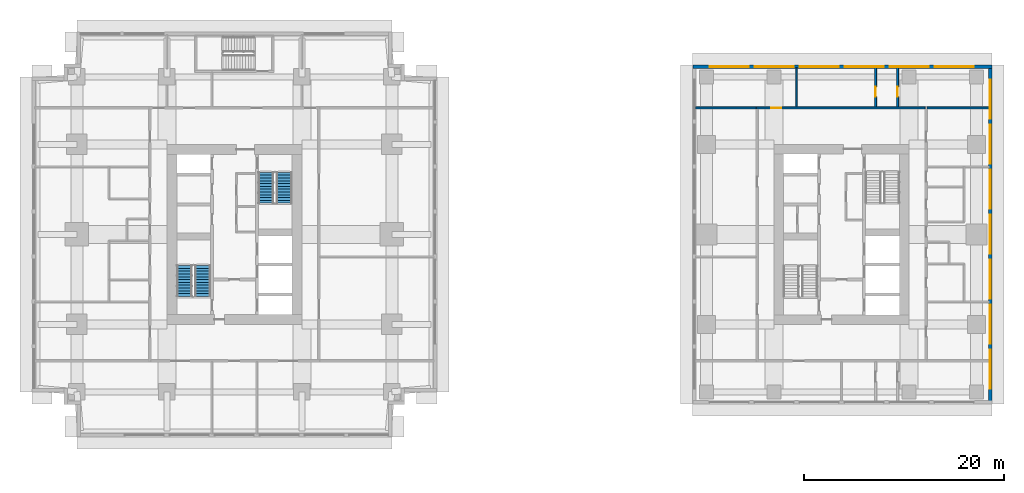
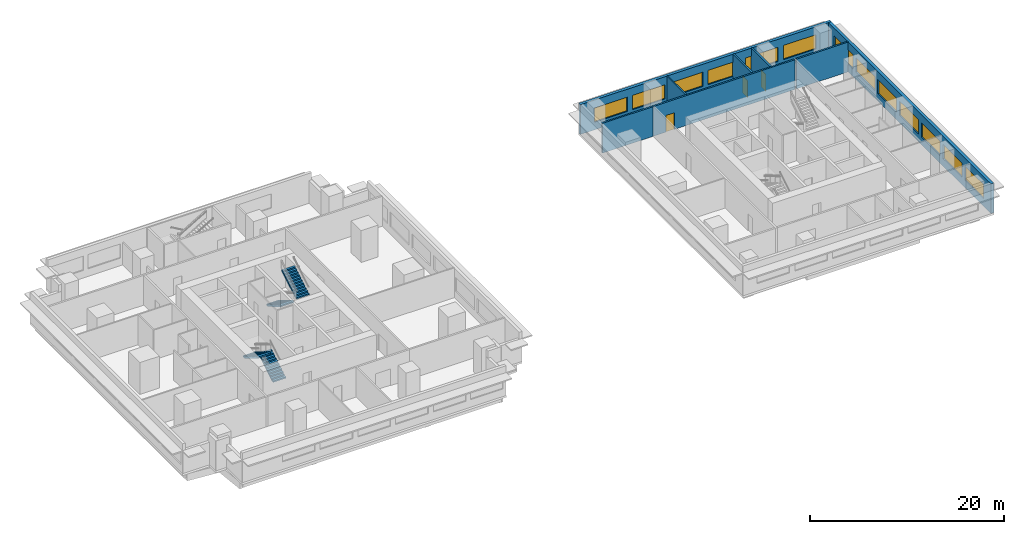
# One storey, part 8 of 11: 13 windows, 8 walls, 4 stair flights, 3 doors, 16 openings, 2 elements without a shape of their own.
"""IFC4 building model written with IfcOpenShell, lengths in metres."""

from ifc_helpers import new_model, si_unit, direction, frame, frame_2d, origin, place, context, subcontext, project, spatial, polyline, rectangle, outline, extrude, material, layer, layer_set, type_object, element, fill, aggregate, save


model = new_model("IFC4")

# Units and contexts
model_context = context("Model", 3, precision=1e-05, world=origin(), true_north=direction((0.0, 1.0)))
body_context = subcontext(model_context, "Body", "Model", "MODEL_VIEW")
ifc_project = project(units=[si_unit("LENGTHUNIT", "METRE"), si_unit("AREAUNIT", "SQUARE_METRE"), si_unit("VOLUMEUNIT", "CUBIC_METRE"), si_unit("PLANEANGLEUNIT", "RADIAN"), si_unit("MASSUNIT", "GRAM", prefix="KILO")], contexts=[model_context])

# Site, building, storey
site_placement = place(None, origin())
site = spatial("IfcSite", under=ifc_project, at=site_placement, CompositionType="ELEMENT")
building_placement = place(site_placement, origin())
building = spatial("IfcBuilding", under=site, at=building_placement, Name="Namib Vertical Campus", CompositionType="ELEMENT")
storey_placement = place(building_placement, frame((0.0, 0.0, 193.0)))
storey = spatial("IfcBuildingStorey", under=building, at=storey_placement, Name="L45", CompositionType="ELEMENT", Elevation=193.0)

# Wall, opening, door
ifc_material_1 = material(Name="Concrete masonry", Category="masonry")
ifc_layer_1 = layer(ifc_material_1, 0.199951171875)
ifc_layer_set_1 = layer_set([ifc_layer_1], Name="Corridor wall 200")
wall_type_1 = type_object("IfcWallType", Name="Corridor wall 200", PredefinedType="SOLIDWALL", material=ifc_layer_set_1)
wall_1_placement = place(storey_placement, frame((89.35009765625, 32.89990234375, 0.0), z_axis=(0.0, 0.0, 1.0), x_axis=(-1.0, 0.0, 0.0)))
wall_1 = element("IfcWall", 1, at=wall_1_placement, inside=storey, type_object=wall_type_1, Name="Corridor wall B L45 CN", PredefinedType="SOLIDWALL", context=body_context, shape_type="SweptSolid", body=[
    extrude(rectangle(XDim=16.900146484375, YDim=0.199951171875, at=frame_2d((8.4501953125, 0.0))), origin(), (0.0, 0.0, 1.0), 3.75),
])
opening_1_placement = place(wall_1_placement, frame((14.375, 0.0, 0.0)))
opening_1 = element("IfcOpeningElement", 2, at=opening_1_placement, cuts=wall_1, Name="Opening CD1", PredefinedType="OPENING", context=body_context, shape_type="SweptSolid", body=[
    extrude(rectangle(XDim=1.0, YDim=2.10009765625, at=frame_2d((0.5, 1.050048828125))), frame((0.0, 0.10986328125, 0.0), z_axis=(0.0, -1.0, 0.0), x_axis=(1.0, 0.0, 0.0)), (0.0, 0.0, 1.0), 0.219970703125),
])
ifc_material_2 = material(Name="Timber fire door leaf", Category="wood")
door_type = type_object("IfcDoorType", Name="Corridor door 1000x2100 20 min", OperationType="SINGLE_SWING_LEFT", PredefinedType="DOOR", material=ifc_material_2)
door_1_placement = place(opening_1_placement, frame((1.0, 0.0, 0.0), z_axis=(0.0, 0.0, 1.0), x_axis=(-1.0, 0.0, 0.0)))
door_1 = element("IfcDoor", 3, at=door_1_placement, inside=storey, type_object=door_type, Name="Door CD1 B45-11", OperationType="SINGLE_SWING_RIGHT", OverallHeight=2.10009765625, OverallWidth=1.0, PredefinedType="DOOR", context=body_context, shape_type="SweptSolid", body=[
    extrude(rectangle(XDim=1.0, YDim=2.10009765625, at=frame_2d((0.5, 1.050048828125))), frame((0.0, 0.02490234375, 0.0), z_axis=(0.0, -1.0, 0.0), x_axis=(1.0, 0.0, 0.0)), (0.0, 0.0, 1.0), 0.050048828125),
])
fill(opening_1, door_1)

wall_2_placement = place(storey_placement, frame((84.39990234375, 33.0, 0.0), z_axis=(0.0, 0.0, 1.0), x_axis=(0.0, 1.0, 0.0)))
wall_2 = element("IfcWall", 4, at=wall_2_placement, inside=storey, type_object=wall_type_1, Name="Corridor wall B L45 SPN1", PredefinedType="SOLIDWALL", context=body_context, shape_type="SweptSolid", body=[
    extrude(rectangle(XDim=3.89990234375, YDim=0.199951171875, at=frame_2d((1.949951171875, 0.0))), origin(), (0.0, 0.0, 1.0), 3.75),
])
opening_2_placement = place(wall_2_placement, frame((1.0, 0.0, 0.0)))
opening_2 = element("IfcOpeningElement", 5, at=opening_2_placement, cuts=wall_2, Name="Opening CD1", PredefinedType="OPENING", context=body_context, shape_type="SweptSolid", body=[
    extrude(rectangle(XDim=1.0, YDim=2.10009765625, at=frame_2d((0.5, 1.050048828125))), frame((0.0, 0.10986328125, 0.0), z_axis=(0.0, -1.0, 0.0), x_axis=(1.0, 0.0, 0.0)), (0.0, 0.0, 1.0), 0.219970703125),
])
door_2_placement = place(opening_2_placement, origin())
door_2 = element("IfcDoor", 6, at=door_2_placement, inside=storey, type_object=door_type, Name="Door CD1 B45-12", OperationType="SINGLE_SWING_LEFT", OverallHeight=2.10009765625, OverallWidth=1.0, PredefinedType="DOOR", context=body_context, shape_type="SweptSolid", body=[
    extrude(rectangle(XDim=1.0, YDim=2.10009765625, at=frame_2d((0.5, 1.050048828125))), frame((0.0, 0.02490234375, 0.0), z_axis=(0.0, -1.0, 0.0), x_axis=(1.0, 0.0, 0.0)), (0.0, 0.0, 1.0), 0.050048828125),
])
fill(opening_2, door_2)

wall_3_placement = place(storey_placement, frame((86.60009765625, 36.89990234375, 0.0), z_axis=(0.0, 0.0, 1.0), x_axis=(0.0, -1.0, 0.0)))
wall_3 = element("IfcWall", 7, at=wall_3_placement, inside=storey, type_object=wall_type_1, Name="Corridor wall B L45 SPN2", PredefinedType="SOLIDWALL", context=body_context, shape_type="SweptSolid", body=[
    extrude(rectangle(XDim=3.89990234375, YDim=0.199951171875, at=frame_2d((1.949951171875, 0.0))), origin(), (0.0, 0.0, 1.0), 3.75),
])
opening_3_placement = place(wall_3_placement, frame((1.89990234375, 0.0, 0.0)))
opening_3 = element("IfcOpeningElement", 8, at=opening_3_placement, cuts=wall_3, Name="Opening CD1", PredefinedType="OPENING", context=body_context, shape_type="SweptSolid", body=[
    extrude(rectangle(XDim=1.0, YDim=2.10009765625, at=frame_2d((0.5, 1.050048828125))), frame((0.0, 0.10986328125, 0.0), z_axis=(0.0, -1.0, 0.0), x_axis=(1.0, 0.0, 0.0)), (0.0, 0.0, 1.0), 0.219970703125),
])
door_3_placement = place(opening_3_placement, origin())
door_3 = element("IfcDoor", 9, at=door_3_placement, inside=storey, type_object=door_type, Name="Door CD1 B45-13", OperationType="SINGLE_SWING_RIGHT", OverallHeight=2.10009765625, OverallWidth=1.0, PredefinedType="DOOR", context=body_context, shape_type="SweptSolid", body=[
    extrude(rectangle(XDim=1.0, YDim=2.10009765625, at=frame_2d((0.5, 1.050048828125))), frame((0.0, 0.02490234375, 0.0), z_axis=(0.0, -1.0, 0.0), x_axis=(1.0, 0.0, 0.0)), (0.0, 0.0, 1.0), 0.050048828125),
])
fill(opening_3, door_3)

# Walls
wall_4_placement = place(storey_placement, frame((66.39990234375, 32.89990234375, 0.0), z_axis=(0.0, 0.0, 1.0), x_axis=(1.0, 0.0, 0.0)))
element("IfcWall", 10, at=wall_4_placement, inside=storey, type_object=wall_type_1, Name="Partition B L45 BNW", PredefinedType="SOLIDWALL", context=body_context, shape_type="SweptSolid", body=[
    extrude(rectangle(XDim=6.050048828125, YDim=0.199951171875, at=frame_2d((3.02490234375, 0.0))), origin(), (0.0, 0.0, 1.0), 3.75),
])
wall_5_placement = place(storey_placement, frame((89.550048828125, 32.89990234375, 0.0), z_axis=(0.0, 0.0, 1.0), x_axis=(1.0, 0.0, 0.0)))
element("IfcWall", 11, at=wall_5_placement, inside=storey, type_object=wall_type_1, Name="Partition B L45 BNE", PredefinedType="SOLIDWALL", context=body_context, shape_type="SweptSolid", body=[
    extrude(rectangle(XDim=6.199951171875, YDim=0.199951171875, at=frame_2d((3.10009765625, 0.0))), origin(), (0.0, 0.0, 1.0), 3.75),
])

# Wall, openings, windows
ifc_material_3 = material(Name="Concrete C40/50", Category="concrete")
ifc_layer_2 = layer(ifc_material_3, 0.35009765625)
ifc_layer_set_2 = layer_set([ifc_layer_2], Name="Concrete C40/50")
wall_type_2 = type_object("IfcWallType", Name="External wall 350 bush-hammered concrete", PredefinedType="STANDARD", material=ifc_layer_set_2)
wall_6_placement = place(storey_placement, frame((95.875, 3.320068359375, 0.0), z_axis=(0.0, 0.0, 1.0), x_axis=(0.0, 1.0, 0.0)))
wall_6 = element("IfcWall", 12, at=wall_6_placement, inside=storey, type_object=wall_type_2, Name="External wall L45 F02", PredefinedType="STANDARD", context=body_context, shape_type="SweptSolid", body=[
    extrude(rectangle(XDim=33.85986328125, YDim=0.35009765625, at=frame_2d((16.929931640625, 0.0))), origin(), (0.0, 0.0, 1.0), 3.75),
])
opening_4_placement = place(wall_6_placement, frame((1.47998046875, 0.0, 0.949951171875)))
opening_4 = element("IfcOpeningElement", 13, at=opening_4_placement, cuts=wall_6, Name="Opening W3", PredefinedType="OPENING", context=body_context, shape_type="SweptSolid", body=[
    extrude(rectangle(XDim=3.89990234375, YDim=1.800048828125, at=frame_2d((1.949951171875, 0.89990234375))), frame((0.0, 0.18505859375, 0.0), z_axis=(0.0, -1.0, 0.0), x_axis=(1.0, 0.0, 0.0)), (0.0, 0.0, 1.0), 0.3701171875),
])
opening_5_placement = place(wall_6_placement, frame((5.97998046875, 0.0, 0.949951171875)))
opening_5 = element("IfcOpeningElement", 14, at=opening_5_placement, cuts=wall_6, Name="Opening W3", PredefinedType="OPENING", context=body_context, shape_type="SweptSolid", body=[
    extrude(rectangle(XDim=3.89990234375, YDim=1.800048828125, at=frame_2d((1.949951171875, 0.89990234375))), frame((0.0, 0.18505859375, 0.0), z_axis=(0.0, -1.0, 0.0), x_axis=(1.0, 0.0, 0.0)), (0.0, 0.0, 1.0), 0.3701171875),
])
opening_6_placement = place(wall_6_placement, frame((10.47998046875, 0.0, 0.949951171875)))
opening_6 = element("IfcOpeningElement", 15, at=opening_6_placement, cuts=wall_6, Name="Opening W3", PredefinedType="OPENING", context=body_context, shape_type="SweptSolid", body=[
    extrude(rectangle(XDim=3.89990234375, YDim=1.800048828125, at=frame_2d((1.949951171875, 0.89990234375))), frame((0.0, 0.18505859375, 0.0), z_axis=(0.0, -1.0, 0.0), x_axis=(1.0, 0.0, 0.0)), (0.0, 0.0, 1.0), 0.3701171875),
])
opening_7_placement = place(wall_6_placement, frame((14.97998046875, 0.0, 0.949951171875)))
opening_7 = element("IfcOpeningElement", 16, at=opening_7_placement, cuts=wall_6, Name="Opening W3", PredefinedType="OPENING", context=body_context, shape_type="SweptSolid", body=[
    extrude(rectangle(XDim=3.89990234375, YDim=1.800048828125, at=frame_2d((1.949951171875, 0.89990234375))), frame((0.0, 0.18505859375, 0.0), z_axis=(0.0, -1.0, 0.0), x_axis=(1.0, 0.0, 0.0)), (0.0, 0.0, 1.0), 0.3701171875),
])
opening_8_placement = place(wall_6_placement, frame((19.47998046875, 0.0, 0.949951171875)))
opening_8 = element("IfcOpeningElement", 17, at=opening_8_placement, cuts=wall_6, Name="Opening W3", PredefinedType="OPENING", context=body_context, shape_type="SweptSolid", body=[
    extrude(rectangle(XDim=3.89990234375, YDim=1.800048828125, at=frame_2d((1.949951171875, 0.89990234375))), frame((0.0, 0.18505859375, 0.0), z_axis=(0.0, -1.0, 0.0), x_axis=(1.0, 0.0, 0.0)), (0.0, 0.0, 1.0), 0.3701171875),
])
opening_9_placement = place(wall_6_placement, frame((23.97998046875, 0.0, 0.949951171875)))
opening_9 = element("IfcOpeningElement", 18, at=opening_9_placement, cuts=wall_6, Name="Opening W3", PredefinedType="OPENING", context=body_context, shape_type="SweptSolid", body=[
    extrude(rectangle(XDim=3.89990234375, YDim=1.800048828125, at=frame_2d((1.949951171875, 0.89990234375))), frame((0.0, 0.18505859375, 0.0), z_axis=(0.0, -1.0, 0.0), x_axis=(1.0, 0.0, 0.0)), (0.0, 0.0, 1.0), 0.3701171875),
])
opening_10_placement = place(wall_6_placement, frame((28.47998046875, 0.0, 0.949951171875)))
opening_10 = element("IfcOpeningElement", 19, at=opening_10_placement, cuts=wall_6, Name="Opening W3", PredefinedType="OPENING", context=body_context, shape_type="SweptSolid", body=[
    extrude(rectangle(XDim=3.89990234375, YDim=1.800048828125, at=frame_2d((1.949951171875, 0.89990234375))), frame((0.0, 0.18505859375, 0.0), z_axis=(0.0, -1.0, 0.0), x_axis=(1.0, 0.0, 0.0)), (0.0, 0.0, 1.0), 0.3701171875),
])
ifc_material_4 = material(Name="Dark tinted glass in black aluminium frame", Category="aluminium")
window_type = type_object("IfcWindowType", Name="Ribbon window 3900x1800", PartitioningType="SINGLE_PANEL", PredefinedType="WINDOW", material=ifc_material_4)
window_1_placement = place(opening_4_placement, origin())
window_1 = element("IfcWindow", 20, at=window_1_placement, inside=storey, type_object=window_type, Name="Window W3 L45 F02-1", OverallHeight=1.800048828125, OverallWidth=3.89990234375, PartitioningType="SINGLE_PANEL", PredefinedType="WINDOW", context=body_context, shape_type="SweptSolid", body=[
    extrude(rectangle(XDim=3.89990234375, YDim=1.800048828125, at=frame_2d((1.949951171875, 0.89990234375))), frame((0.0, 0.030029296875, 0.0), z_axis=(0.0, -1.0, 0.0), x_axis=(1.0, 0.0, 0.0)), (0.0, 0.0, 1.0), 0.06005859375),
])
fill(opening_4, window_1)
window_2_placement = place(opening_5_placement, origin())
window_2 = element("IfcWindow", 21, at=window_2_placement, inside=storey, type_object=window_type, Name="Window W3 L45 F02-2", OverallHeight=1.800048828125, OverallWidth=3.89990234375, PartitioningType="SINGLE_PANEL", PredefinedType="WINDOW", context=body_context, shape_type="SweptSolid", body=[
    extrude(rectangle(XDim=3.89990234375, YDim=1.800048828125, at=frame_2d((1.949951171875, 0.89990234375))), frame((0.0, 0.030029296875, 0.0), z_axis=(0.0, -1.0, 0.0), x_axis=(1.0, 0.0, 0.0)), (0.0, 0.0, 1.0), 0.06005859375),
])
fill(opening_5, window_2)
window_3_placement = place(opening_6_placement, origin())
window_3 = element("IfcWindow", 22, at=window_3_placement, inside=storey, type_object=window_type, Name="Window W3 L45 F02-3", OverallHeight=1.800048828125, OverallWidth=3.89990234375, PartitioningType="SINGLE_PANEL", PredefinedType="WINDOW", context=body_context, shape_type="SweptSolid", body=[
    extrude(rectangle(XDim=3.89990234375, YDim=1.800048828125, at=frame_2d((1.949951171875, 0.89990234375))), frame((0.0, 0.030029296875, 0.0), z_axis=(0.0, -1.0, 0.0), x_axis=(1.0, 0.0, 0.0)), (0.0, 0.0, 1.0), 0.06005859375),
])
fill(opening_6, window_3)
window_4_placement = place(opening_7_placement, origin())
window_4 = element("IfcWindow", 23, at=window_4_placement, inside=storey, type_object=window_type, Name="Window W3 L45 F02-4", OverallHeight=1.800048828125, OverallWidth=3.89990234375, PartitioningType="SINGLE_PANEL", PredefinedType="WINDOW", context=body_context, shape_type="SweptSolid", body=[
    extrude(rectangle(XDim=3.89990234375, YDim=1.800048828125, at=frame_2d((1.949951171875, 0.89990234375))), frame((0.0, 0.030029296875, 0.0), z_axis=(0.0, -1.0, 0.0), x_axis=(1.0, 0.0, 0.0)), (0.0, 0.0, 1.0), 0.06005859375),
])
fill(opening_7, window_4)
window_5_placement = place(opening_8_placement, origin())
window_5 = element("IfcWindow", 24, at=window_5_placement, inside=storey, type_object=window_type, Name="Window W3 L45 F02-5", OverallHeight=1.800048828125, OverallWidth=3.89990234375, PartitioningType="SINGLE_PANEL", PredefinedType="WINDOW", context=body_context, shape_type="SweptSolid", body=[
    extrude(rectangle(XDim=3.89990234375, YDim=1.800048828125, at=frame_2d((1.949951171875, 0.89990234375))), frame((0.0, 0.030029296875, 0.0), z_axis=(0.0, -1.0, 0.0), x_axis=(1.0, 0.0, 0.0)), (0.0, 0.0, 1.0), 0.06005859375),
])
fill(opening_8, window_5)
window_6_placement = place(opening_9_placement, origin())
window_6 = element("IfcWindow", 25, at=window_6_placement, inside=storey, type_object=window_type, Name="Window W3 L45 F02-6", OverallHeight=1.800048828125, OverallWidth=3.89990234375, PartitioningType="SINGLE_PANEL", PredefinedType="WINDOW", context=body_context, shape_type="SweptSolid", body=[
    extrude(rectangle(XDim=3.89990234375, YDim=1.800048828125, at=frame_2d((1.949951171875, 0.89990234375))), frame((0.0, 0.030029296875, 0.0), z_axis=(0.0, -1.0, 0.0), x_axis=(1.0, 0.0, 0.0)), (0.0, 0.0, 1.0), 0.06005859375),
])
fill(opening_9, window_6)
window_7_placement = place(opening_10_placement, origin())
window_7 = element("IfcWindow", 26, at=window_7_placement, inside=storey, type_object=window_type, Name="Window W3 L45 F02-7", OverallHeight=1.800048828125, OverallWidth=3.89990234375, PartitioningType="SINGLE_PANEL", PredefinedType="WINDOW", context=body_context, shape_type="SweptSolid", body=[
    extrude(rectangle(XDim=3.89990234375, YDim=1.800048828125, at=frame_2d((1.949951171875, 0.89990234375))), frame((0.0, 0.030029296875, 0.0), z_axis=(0.0, -1.0, 0.0), x_axis=(1.0, 0.0, 0.0)), (0.0, 0.0, 1.0), 0.06005859375),
])
fill(opening_10, window_7)

wall_7_placement = place(storey_placement, frame((96.030029296875, 37.02490234375, 0.0), z_axis=(0.0, 0.0, 1.0), x_axis=(-1.0, 0.0, 0.0)))
wall_7 = element("IfcWall", 27, at=wall_7_placement, inside=storey, type_object=wall_type_2, Name="External wall L45 F03", PredefinedType="STANDARD", context=body_context, shape_type="SweptSolid", body=[
    extrude(rectangle(XDim=29.909912109375, YDim=0.35009765625, at=frame_2d((14.955078125, 0.0))), origin(), (0.0, 0.0, 1.0), 3.75),
])
opening_11_placement = place(wall_7_placement, frame((24.330078125, 0.0, 0.949951171875)))
opening_11 = element("IfcOpeningElement", 28, at=opening_11_placement, cuts=wall_7, Name="Opening W3", PredefinedType="OPENING", context=body_context, shape_type="SweptSolid", body=[
    extrude(rectangle(XDim=3.89990234375, YDim=1.800048828125, at=frame_2d((1.949951171875, 0.89990234375))), frame((0.0, 0.18505859375, 0.0), z_axis=(0.0, -1.0, 0.0), x_axis=(1.0, 0.0, 0.0)), (0.0, 0.0, 1.0), 0.3701171875),
])
opening_12_placement = place(wall_7_placement, frame((19.830078125, 0.0, 0.949951171875)))
opening_12 = element("IfcOpeningElement", 29, at=opening_12_placement, cuts=wall_7, Name="Opening W3", PredefinedType="OPENING", context=body_context, shape_type="SweptSolid", body=[
    extrude(rectangle(XDim=3.89990234375, YDim=1.800048828125, at=frame_2d((1.949951171875, 0.89990234375))), frame((0.0, 0.18505859375, 0.0), z_axis=(0.0, -1.0, 0.0), x_axis=(1.0, 0.0, 0.0)), (0.0, 0.0, 1.0), 0.3701171875),
])
opening_13_placement = place(wall_7_placement, frame((15.330078125, 0.0, 0.949951171875)))
opening_13 = element("IfcOpeningElement", 30, at=opening_13_placement, cuts=wall_7, Name="Opening W3", PredefinedType="OPENING", context=body_context, shape_type="SweptSolid", body=[
    extrude(rectangle(XDim=3.89990234375, YDim=1.800048828125, at=frame_2d((1.949951171875, 0.89990234375))), frame((0.0, 0.18505859375, 0.0), z_axis=(0.0, -1.0, 0.0), x_axis=(1.0, 0.0, 0.0)), (0.0, 0.0, 1.0), 0.3701171875),
])
opening_14_placement = place(wall_7_placement, frame((10.830078125, 0.0, 0.949951171875)))
opening_14 = element("IfcOpeningElement", 31, at=opening_14_placement, cuts=wall_7, Name="Opening W3", PredefinedType="OPENING", context=body_context, shape_type="SweptSolid", body=[
    extrude(rectangle(XDim=3.89990234375, YDim=1.800048828125, at=frame_2d((1.949951171875, 0.89990234375))), frame((0.0, 0.18505859375, 0.0), z_axis=(0.0, -1.0, 0.0), x_axis=(1.0, 0.0, 0.0)), (0.0, 0.0, 1.0), 0.3701171875),
])
opening_15_placement = place(wall_7_placement, frame((6.330078125, 0.0, 0.949951171875)))
opening_15 = element("IfcOpeningElement", 32, at=opening_15_placement, cuts=wall_7, Name="Opening W3", PredefinedType="OPENING", context=body_context, shape_type="SweptSolid", body=[
    extrude(rectangle(XDim=3.89990234375, YDim=1.800048828125, at=frame_2d((1.949951171875, 0.89990234375))), frame((0.0, 0.18505859375, 0.0), z_axis=(0.0, -1.0, 0.0), x_axis=(1.0, 0.0, 0.0)), (0.0, 0.0, 1.0), 0.3701171875),
])
opening_16_placement = place(wall_7_placement, frame((1.830078125, 0.0, 0.949951171875)))
opening_16 = element("IfcOpeningElement", 33, at=opening_16_placement, cuts=wall_7, Name="Opening W3", PredefinedType="OPENING", context=body_context, shape_type="SweptSolid", body=[
    extrude(rectangle(XDim=3.89990234375, YDim=1.800048828125, at=frame_2d((1.949951171875, 0.89990234375))), frame((0.0, 0.18505859375, 0.0), z_axis=(0.0, -1.0, 0.0), x_axis=(1.0, 0.0, 0.0)), (0.0, 0.0, 1.0), 0.3701171875),
])
window_8_placement = place(opening_11_placement, origin())
window_8 = element("IfcWindow", 34, at=window_8_placement, inside=storey, type_object=window_type, Name="Window W3 L45 F03-1", OverallHeight=1.800048828125, OverallWidth=3.89990234375, PartitioningType="SINGLE_PANEL", PredefinedType="WINDOW", context=body_context, shape_type="SweptSolid", body=[
    extrude(rectangle(XDim=3.89990234375, YDim=1.800048828125, at=frame_2d((1.949951171875, 0.89990234375))), frame((0.0, 0.030029296875, 0.0), z_axis=(0.0, -1.0, 0.0), x_axis=(1.0, 0.0, 0.0)), (0.0, 0.0, 1.0), 0.06005859375),
])
fill(opening_11, window_8)
window_9_placement = place(opening_12_placement, origin())
window_9 = element("IfcWindow", 35, at=window_9_placement, inside=storey, type_object=window_type, Name="Window W3 L45 F03-2", OverallHeight=1.800048828125, OverallWidth=3.89990234375, PartitioningType="SINGLE_PANEL", PredefinedType="WINDOW", context=body_context, shape_type="SweptSolid", body=[
    extrude(rectangle(XDim=3.89990234375, YDim=1.800048828125, at=frame_2d((1.949951171875, 0.89990234375))), frame((0.0, 0.030029296875, 0.0), z_axis=(0.0, -1.0, 0.0), x_axis=(1.0, 0.0, 0.0)), (0.0, 0.0, 1.0), 0.06005859375),
])
fill(opening_12, window_9)
window_10_placement = place(opening_13_placement, origin())
window_10 = element("IfcWindow", 36, at=window_10_placement, inside=storey, type_object=window_type, Name="Window W3 L45 F03-3", OverallHeight=1.800048828125, OverallWidth=3.89990234375, PartitioningType="SINGLE_PANEL", PredefinedType="WINDOW", context=body_context, shape_type="SweptSolid", body=[
    extrude(rectangle(XDim=3.89990234375, YDim=1.800048828125, at=frame_2d((1.949951171875, 0.89990234375))), frame((0.0, 0.030029296875, 0.0), z_axis=(0.0, -1.0, 0.0), x_axis=(1.0, 0.0, 0.0)), (0.0, 0.0, 1.0), 0.06005859375),
])
fill(opening_13, window_10)
window_11_placement = place(opening_14_placement, origin())
window_11 = element("IfcWindow", 37, at=window_11_placement, inside=storey, type_object=window_type, Name="Window W3 L45 F03-4", OverallHeight=1.800048828125, OverallWidth=3.89990234375, PartitioningType="SINGLE_PANEL", PredefinedType="WINDOW", context=body_context, shape_type="SweptSolid", body=[
    extrude(rectangle(XDim=3.89990234375, YDim=1.800048828125, at=frame_2d((1.949951171875, 0.89990234375))), frame((0.0, 0.030029296875, 0.0), z_axis=(0.0, -1.0, 0.0), x_axis=(1.0, 0.0, 0.0)), (0.0, 0.0, 1.0), 0.06005859375),
])
fill(opening_14, window_11)
window_12_placement = place(opening_15_placement, origin())
window_12 = element("IfcWindow", 38, at=window_12_placement, inside=storey, type_object=window_type, Name="Window W3 L45 F03-5", OverallHeight=1.800048828125, OverallWidth=3.89990234375, PartitioningType="SINGLE_PANEL", PredefinedType="WINDOW", context=body_context, shape_type="SweptSolid", body=[
    extrude(rectangle(XDim=3.89990234375, YDim=1.800048828125, at=frame_2d((1.949951171875, 0.89990234375))), frame((0.0, 0.030029296875, 0.0), z_axis=(0.0, -1.0, 0.0), x_axis=(1.0, 0.0, 0.0)), (0.0, 0.0, 1.0), 0.06005859375),
])
fill(opening_15, window_12)
window_13_placement = place(opening_16_placement, origin())
window_13 = element("IfcWindow", 39, at=window_13_placement, inside=storey, type_object=window_type, Name="Window W3 L45 F03-6", OverallHeight=1.800048828125, OverallWidth=3.89990234375, PartitioningType="SINGLE_PANEL", PredefinedType="WINDOW", context=body_context, shape_type="SweptSolid", body=[
    extrude(rectangle(XDim=3.89990234375, YDim=1.800048828125, at=frame_2d((1.949951171875, 0.89990234375))), frame((0.0, 0.030029296875, 0.0), z_axis=(0.0, -1.0, 0.0), x_axis=(1.0, 0.0, 0.0)), (0.0, 0.0, 1.0), 0.06005859375),
])
fill(opening_16, window_13)

# Wall
ifc_material_5 = material(Name="Gypsum board on steel studs", Category="steel")
ifc_layer_3 = layer(ifc_material_5, 0.14990234375)
ifc_layer_set_3 = layer_set([ifc_layer_3], Name="Gypsum board on steel studs")
wall_type_3 = type_object("IfcWallType", Name="Partition 150", PredefinedType="PARTITIONING", material=ifc_layer_set_3)
wall_8_placement = place(storey_placement, frame((76.5, 33.0, 0.0), z_axis=(0.0, 0.0, 1.0), x_axis=(0.0, 1.0, 0.0)))
element("IfcWall", 40, at=wall_8_placement, inside=storey, type_object=wall_type_3, Name="Partition B L45 PN1", PredefinedType="PARTITIONING", context=body_context, shape_type="SweptSolid", body=[
    extrude(rectangle(XDim=3.89990234375, YDim=0.14990234375, at=frame_2d((1.949951171875, 0.0))), origin(), (0.0, 0.0, 1.0), 3.75),
])

# Stair, stair flights
ifc_material_6 = material(Name="Concrete C40/50 precast", Category="concrete")
stair_type = type_object("IfcStairType", Name="Exit stair 4000 rise 24 risers 3350 wide", PredefinedType="HALF_TURN_STAIR", material=ifc_material_6)
stair_1_placement = place(storey_placement, origin())
stair_1 = element("IfcStair", 41, at=stair_1_placement, inside=storey, type_object=stair_type, Name="Exit stair A-S1 L45", PredefinedType="HALF_TURN_STAIR")
ifc_material_7 = material(Name="Concrete C40/50 precast", Category="concrete")
stair_flight_type = type_object("IfcStairFlightType", Name="Stair flight 12 risers 167 1525 wide", PredefinedType="STRAIGHT", material=ifc_material_7)
stair_flight_1_placement = place(storey_placement, frame((17.08740234375, 14.050048828125, 0.0), z_axis=(0.0, 0.0, 1.0), x_axis=(0.0, 1.0, 0.0)))
stair_flight_1 = element("IfcStairFlight", 42, at=stair_flight_1_placement, type_object=stair_flight_type, Name="A-S1 flight 1", NumberOfRisers=12, NumberOfTreads=11, PredefinedType="STRAIGHT", RiserHeight=0.166666667, TreadLength=0.28, context=body_context, shape_type="SweptSolid", body=[
    extrude(outline(polyline([(0.0, 0.0), (0.0, 0.166748046875), (0.280029296875, 0.166748046875), (0.280029296875, 0.333251953125), (0.56005859375, 0.333251953125), (0.56005859375, 0.5), (0.840087890625, 0.5), (0.840087890625, 0.666748046875), (1.1201171875, 0.666748046875), (1.1201171875, 0.833251953125), (1.39990234375, 0.833251953125), (1.39990234375, 1.0), (1.679931640625, 1.0), (1.679931640625, 1.166748046875), (1.9599609375, 1.166748046875), (1.9599609375, 1.333251953125), (2.239990234375, 1.333251953125), (2.239990234375, 1.5), (2.52001953125, 1.5), (2.52001953125, 1.666748046875), (2.800048828125, 1.666748046875), (2.800048828125, 1.833251953125), (3.080078125, 1.833251953125), (3.080078125, 2.0), (3.080078125, 1.658935546875), (0.29296875, 0.0), (0.0, 0.0)])), frame((0.0, 0.762451171875, 0.0), z_axis=(0.0, -1.0, 0.0), x_axis=(1.0, 0.0, 0.0)), (0.0, 0.0, 1.0), 1.52490234375),
])
stair_flight_2_placement = place(storey_placement, frame((15.262451171875, 17.1298828125, 2.0), z_axis=(0.0, 0.0, 1.0), x_axis=(0.0, -1.0, 0.0)))
stair_flight_2 = element("IfcStairFlight", 43, at=stair_flight_2_placement, type_object=stair_flight_type, Name="A-S1 flight 2", NumberOfRisers=12, NumberOfTreads=11, PredefinedType="STRAIGHT", RiserHeight=0.166666667, TreadLength=0.28, context=body_context, shape_type="SweptSolid", body=[
    extrude(outline(polyline([(0.0, 0.0), (0.0, 0.166748046875), (0.280029296875, 0.166748046875), (0.280029296875, 0.333251953125), (0.56005859375, 0.333251953125), (0.56005859375, 0.5), (0.840087890625, 0.5), (0.840087890625, 0.666748046875), (1.1201171875, 0.666748046875), (1.1201171875, 0.833251953125), (1.39990234375, 0.833251953125), (1.39990234375, 1.0), (1.679931640625, 1.0), (1.679931640625, 1.166748046875), (1.9599609375, 1.166748046875), (1.9599609375, 1.333251953125), (2.239990234375, 1.333251953125), (2.239990234375, 1.5), (2.52001953125, 1.5), (2.52001953125, 1.666748046875), (2.800048828125, 1.666748046875), (2.800048828125, 1.833251953125), (3.080078125, 1.833251953125), (3.080078125, 2.0), (3.080078125, 1.658935546875), (0.29296875, 0.0), (0.0, 0.0)])), frame((0.0, 0.762451171875, 0.0), z_axis=(0.0, -1.0, 0.0), x_axis=(1.0, 0.0, 0.0)), (0.0, 0.0, 1.0), 1.52490234375),
])
aggregate(stair_1, [stair_flight_1, stair_flight_2])

stair_2_placement = place(storey_placement, origin())
stair_2 = element("IfcStair", 44, at=stair_2_placement, inside=storey, type_object=stair_type, Name="Exit stair A-S2 L45", PredefinedType="HALF_TURN_STAIR")
stair_flight_3_placement = place(storey_placement, frame((23.41259765625, 26.449951171875, 0.0), z_axis=(0.0, 0.0, 1.0), x_axis=(0.0, -1.0, 0.0)))
stair_flight_3 = element("IfcStairFlight", 45, at=stair_flight_3_placement, type_object=stair_flight_type, Name="A-S2 flight 1", NumberOfRisers=12, NumberOfTreads=11, PredefinedType="STRAIGHT", RiserHeight=0.166666667, TreadLength=0.28, context=body_context, shape_type="SweptSolid", body=[
    extrude(outline(polyline([(0.0, 0.0), (0.0, 0.166748046875), (0.280029296875, 0.166748046875), (0.280029296875, 0.333251953125), (0.56005859375, 0.333251953125), (0.56005859375, 0.5), (0.840087890625, 0.5), (0.840087890625, 0.666748046875), (1.1201171875, 0.666748046875), (1.1201171875, 0.833251953125), (1.39990234375, 0.833251953125), (1.39990234375, 1.0), (1.679931640625, 1.0), (1.679931640625, 1.166748046875), (1.9599609375, 1.166748046875), (1.9599609375, 1.333251953125), (2.239990234375, 1.333251953125), (2.239990234375, 1.5), (2.52001953125, 1.5), (2.52001953125, 1.666748046875), (2.800048828125, 1.666748046875), (2.800048828125, 1.833251953125), (3.080078125, 1.833251953125), (3.080078125, 2.0), (3.080078125, 1.658935546875), (0.29296875, 0.0), (0.0, 0.0)])), frame((0.0, 0.762451171875, 0.0), z_axis=(0.0, -1.0, 0.0), x_axis=(1.0, 0.0, 0.0)), (0.0, 0.0, 1.0), 1.52490234375),
])
stair_flight_4_placement = place(storey_placement, frame((25.237548828125, 23.3701171875, 2.0), z_axis=(0.0, 0.0, 1.0), x_axis=(0.0, 1.0, 0.0)))
stair_flight_4 = element("IfcStairFlight", 46, at=stair_flight_4_placement, type_object=stair_flight_type, Name="A-S2 flight 2", NumberOfRisers=12, NumberOfTreads=11, PredefinedType="STRAIGHT", RiserHeight=0.166666667, TreadLength=0.28, context=body_context, shape_type="SweptSolid", body=[
    extrude(outline(polyline([(0.0, 0.0), (0.0, 0.166748046875), (0.280029296875, 0.166748046875), (0.280029296875, 0.333251953125), (0.56005859375, 0.333251953125), (0.56005859375, 0.5), (0.840087890625, 0.5), (0.840087890625, 0.666748046875), (1.1201171875, 0.666748046875), (1.1201171875, 0.833251953125), (1.39990234375, 0.833251953125), (1.39990234375, 1.0), (1.679931640625, 1.0), (1.679931640625, 1.166748046875), (1.9599609375, 1.166748046875), (1.9599609375, 1.333251953125), (2.239990234375, 1.333251953125), (2.239990234375, 1.5), (2.52001953125, 1.5), (2.52001953125, 1.666748046875), (2.800048828125, 1.666748046875), (2.800048828125, 1.833251953125), (3.080078125, 1.833251953125), (3.080078125, 2.0), (3.080078125, 1.658935546875), (0.29296875, 0.0), (0.0, 0.0)])), frame((0.0, 0.762451171875, 0.0), z_axis=(0.0, -1.0, 0.0), x_axis=(1.0, 0.0, 0.0)), (0.0, 0.0, 1.0), 1.52490234375),
])
aggregate(stair_2, [stair_flight_3, stair_flight_4])

save(model, "model.ifc")
